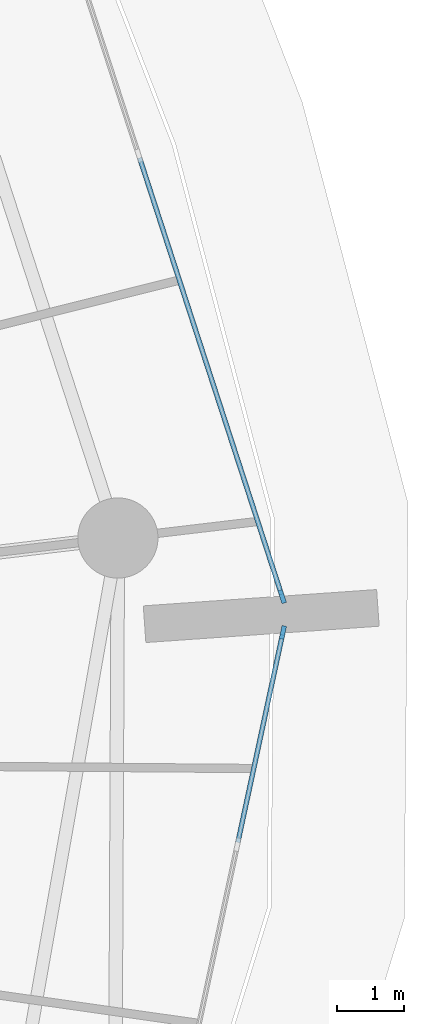
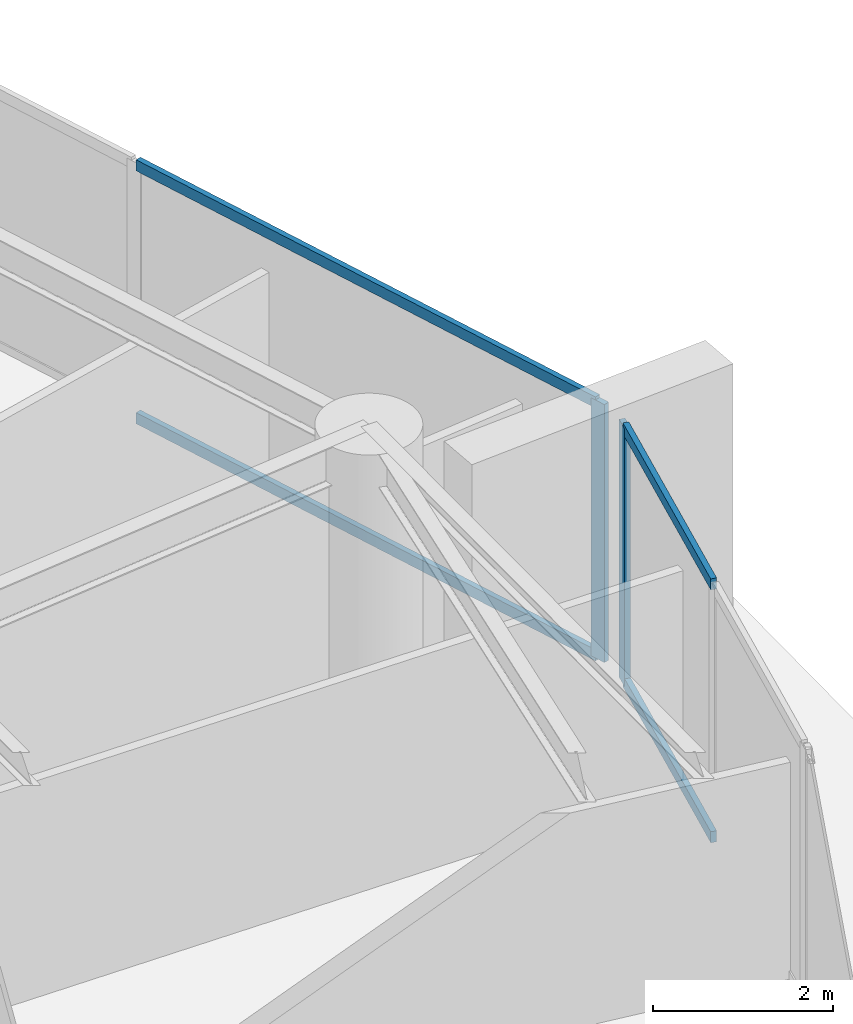
# One storey, part 8 of 17: 6 members, 2 elements without a shape of their own.
"""IFC4 building model written with IfcOpenShell, lengths in metres."""

from ifc_helpers import new_model, si_unit, direction, frame, origin, origin_2d, place, context, subcontext, project, spatial, rectangle, extrude, material, layer, layer_set, material_profile, profile_set, type_object, element, aggregate, save


model = new_model("IFC4")

# Units and contexts
model_context = context("Model", 3, precision=1e-05, world=origin(), true_north=direction((0.0, 1.0)))
body_context = subcontext(model_context, "Body", "Model", "MODEL_VIEW")
ifc_project = project(units=[si_unit("LENGTHUNIT", "METRE"), si_unit("AREAUNIT", "SQUARE_METRE"), si_unit("VOLUMEUNIT", "CUBIC_METRE"), si_unit("PLANEANGLEUNIT", "RADIAN"), si_unit("MASSUNIT", "GRAM", prefix="KILO")], contexts=[model_context])

# Site, building, storey
site_placement = place(None, origin())
site = spatial("IfcSite", under=ifc_project, at=site_placement, CompositionType="ELEMENT")
building_placement = place(site_placement, origin())
building = spatial("IfcBuilding", under=site, at=building_placement, Name="Kazma Halo Residences", CompositionType="ELEMENT")
storey_placement = place(building_placement, frame((0.0, 0.0, 75.14990234375)))
storey = spatial("IfcBuildingStorey", under=building, at=storey_placement, Name="L18", CompositionType="ELEMENT", Elevation=75.14990234375)

# Curtain wall, member
ifc_material_1 = material(Name="Aluminium AW-6063 T6 and Triple-Silver Low-E Glass", Category="aluminium")
ifc_layer = layer(ifc_material_1, 0.199951171875)
ifc_layer_set = layer_set([ifc_layer], Name="Aluminium AW-6063 T6 and Triple-Silver Low-E Glass")
curtain_wall_type = type_object("IfcCurtainWallType", Name="CW-SYS-3", PredefinedType="NOTDEFINED", material=ifc_layer_set)
curtain_wall_1_placement = place(storey_placement, origin())
curtain_wall_1 = element("IfcCurtainWall", 1, at=curtain_wall_1_placement, inside=storey, type_object=curtain_wall_type, Name="L18 unitised curtain wall B15", PredefinedType="NOTDEFINED")
ifc_material_2 = material(Name="Aluminium AW-6063 T6", Category="aluminium")
ifc_material_profile_1 = material_profile(ifc_material_2, rectangle(XDim=0.070068359375, YDim=0.199951171875, at=origin_2d()), Name="CWM-70x200")
ifc_profile_set_1 = profile_set([ifc_material_profile_1], Name="Aluminium AW-6063 T6")
member_type_1 = type_object("IfcMemberType", Name="CW-SYS-3-MUL", PredefinedType="MULLION", material=ifc_profile_set_1)
member_1_placement = place(storey_placement, frame((77.676513671875, 43.807373046875, 0.0), z_axis=(0.0, 0.0, 1.0), x_axis=(-0.977774176093, 0.209660822677, 0.0)))
member_1 = element("IfcMember", 2, at=member_1_placement, type_object=member_type_1, Name="CWS-3 mullion 4", PredefinedType="MULLION", context=body_context, shape_type="SweptSolid", body=[
    extrude(rectangle(XDim=0.070068359375, YDim=0.199951171875, at=origin_2d()), origin(), (0.0, 0.0, 1.0), 3.5),
])

curtain_wall_2_placement = place(storey_placement, origin())
curtain_wall_2 = element("IfcCurtainWall", 3, at=curtain_wall_2_placement, inside=storey, type_object=curtain_wall_type, Name="L18 unitised curtain wall B16", PredefinedType="NOTDEFINED")
member_2_placement = place(storey_placement, frame((77.665283203125, 44.3427734375, 0.0), z_axis=(0.0, 0.0, 1.0), x_axis=(-0.951057722508, -0.309013282008, 0.0)))
member_2 = element("IfcMember", 4, at=member_2_placement, type_object=member_type_1, Name="CWS-3 mullion 1", PredefinedType="MULLION", context=body_context, shape_type="SweptSolid", body=[
    extrude(rectangle(XDim=0.070068359375, YDim=0.199951171875, at=origin_2d()), origin(), (0.0, 0.0, 1.0), 3.5),
])

# Member
ifc_material_profile_2 = material_profile(ifc_material_2, rectangle(XDim=0.070068359375, YDim=0.14990234375, at=origin_2d()), Name="CWT-70x150")
ifc_profile_set_2 = profile_set([ifc_material_profile_2], Name="Aluminium AW-6063 T6")
member_type_2 = type_object("IfcMemberType", Name="CW-SYS-3-TRN", PredefinedType="USERDEFINED", material=ifc_profile_set_2)
member_3_placement = place(storey_placement, frame((77.002685546875, 40.66552734375, 0.03515625), z_axis=(0.209717949017, 0.977761924939, 0.0), x_axis=(-0.977761924939, 0.209717949017, 0.0)))
member_3 = element("IfcMember", 5, at=member_3_placement, type_object=member_type_2, Name="CWS-3 transom 3.1", ObjectType="TRANSOM", PredefinedType="USERDEFINED", context=body_context, shape_type="SweptSolid", body=[
    extrude(rectangle(XDim=0.070068359375, YDim=0.14990234375, at=origin_2d()), origin(), (0.0, 0.0, 1.0), 3.177978515625),
])

member_4_placement = place(storey_placement, frame((77.002685546875, 40.66552734375, 3.465087890625), z_axis=(0.209717949017, 0.977761924939, 0.0), x_axis=(-0.977761924939, 0.209717949017, 0.0)))
member_4 = element("IfcMember", 6, at=member_4_placement, type_object=member_type_2, Name="CWS-3 transom 3.2", ObjectType="TRANSOM", PredefinedType="USERDEFINED", context=body_context, shape_type="SweptSolid", body=[
    extrude(rectangle(XDim=0.070068359375, YDim=0.14990234375, at=origin_2d()), origin(), (0.0, 0.0, 1.0), 3.177978515625),
])

aggregate(curtain_wall_1, [member_1, member_3, member_4])

member_5_placement = place(storey_placement, frame((77.654541015625, 44.3759765625, 0.03515625), z_axis=(-0.309000079699, 0.95106201204, 0.0), x_axis=(-0.95106201204, -0.309000079699, 0.0)))
member_5 = element("IfcMember", 7, at=member_5_placement, type_object=member_type_2, Name="CWS-3 transom 1.1", ObjectType="TRANSOM", PredefinedType="USERDEFINED", context=body_context, shape_type="SweptSolid", body=[
    extrude(rectangle(XDim=0.070068359375, YDim=0.14990234375, at=origin_2d()), origin(), (0.0, 0.0, 1.0), 6.869140625),
])

member_6_placement = place(storey_placement, frame((77.654541015625, 44.3759765625, 3.465087890625), z_axis=(-0.309000079699, 0.95106201204, 0.0), x_axis=(-0.95106201204, -0.309000079699, 0.0)))
member_6 = element("IfcMember", 8, at=member_6_placement, type_object=member_type_2, Name="CWS-3 transom 1.2", ObjectType="TRANSOM", PredefinedType="USERDEFINED", context=body_context, shape_type="SweptSolid", body=[
    extrude(rectangle(XDim=0.070068359375, YDim=0.14990234375, at=origin_2d()), origin(), (0.0, 0.0, 1.0), 6.869140625),
])

aggregate(curtain_wall_2, [member_2, member_5, member_6])

save(model, "model.ifc")
